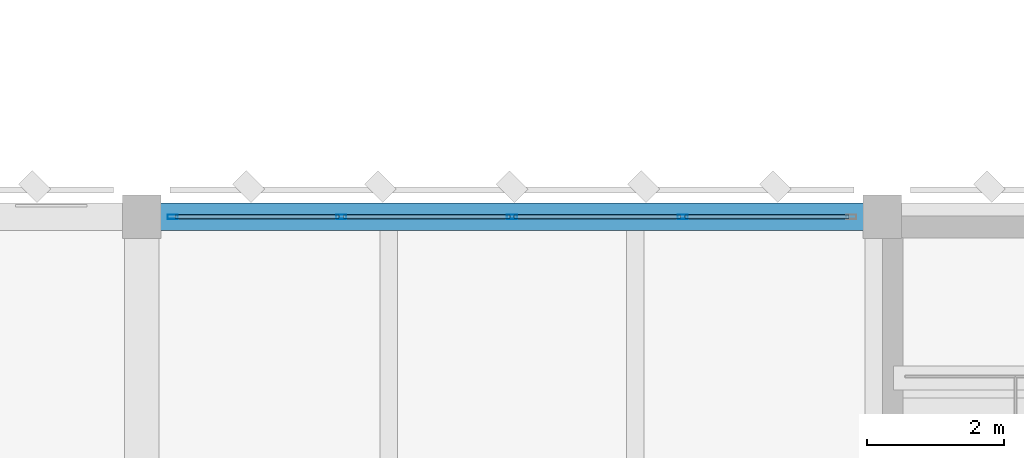
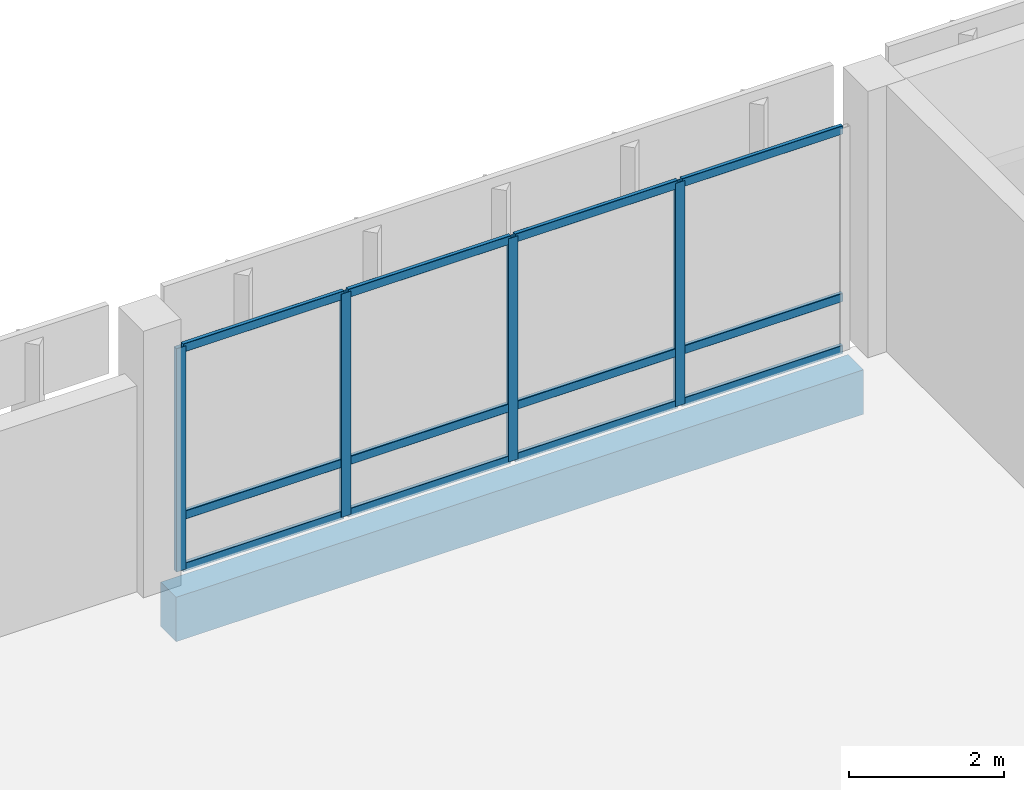
# One storey, part 52 of 158: 16 members, 1 beam, 1 element without a shape of its own.
"""IFC4 building model written with IfcOpenShell, lengths in metres."""

from ifc_helpers import new_model, si_unit, direction, frame, origin, origin_2d, place, context, subcontext, project, spatial, rectangle, hollow_rectangle, extrude, material, material_profile, profile_set, type_object, element, aggregate, save


model = new_model("IFC4")

# Units and contexts
model_context = context("Model", 3, precision=1e-05, world=origin(), true_north=direction((0.0, 1.0)))
body_context = subcontext(model_context, "Body", "Model", "MODEL_VIEW")
ifc_project = project(units=[si_unit("LENGTHUNIT", "METRE"), si_unit("AREAUNIT", "SQUARE_METRE"), si_unit("VOLUMEUNIT", "CUBIC_METRE"), si_unit("PLANEANGLEUNIT", "RADIAN"), si_unit("MASSUNIT", "GRAM", prefix="KILO")], contexts=[model_context])

# Site, building, storey
site_placement = place(None, origin())
site = spatial("IfcSite", under=ifc_project, at=site_placement, CompositionType="ELEMENT")
building_placement = place(site_placement, origin())
building = spatial("IfcBuilding", under=site, at=building_placement, Name="Lusvemor Sports Hall", CompositionType="ELEMENT")
storey_placement = place(building_placement, frame((0.0, 0.0, 10.800048828125)))
storey = spatial("IfcBuildingStorey", under=building, at=storey_placement, Name="L02", CompositionType="ELEMENT", Elevation=10.800048828125)

# Curtain wall, members
ifc_material_1 = material(Name="Thermally broken bronze-anodized aluminium", Category="aluminium")
curtain_wall_type = type_object("IfcCurtainWallType", Name="CW_WING_B", PredefinedType="NOTDEFINED", material=ifc_material_1)
curtain_wall_placement = place(storey_placement, origin())
curtain_wall = element("IfcCurtainWall", 1, at=curtain_wall_placement, inside=storey, type_object=curtain_wall_type, Name="Curtain Wall CW-L02-N-1-4", PredefinedType="NOTDEFINED")
ifc_material_2 = material(Name="Thermally broken bronze-anodized aluminium", Category="aluminium")
ifc_material_profile_1 = material_profile(ifc_material_2, hollow_rectangle(XDim=0.06494140625, YDim=0.14990234375, WallThickness=0.00390625, InnerFilletRadius=0.00390625, OuterFilletRadius=0.008056640625, at=origin_2d()), Name="CWMUL150x65x4")
ifc_profile_set_1 = profile_set([ifc_material_profile_1], Name="Thermally broken bronze-anodized aluminium")
member_type_1 = type_object("IfcMemberType", Name="CW_MUL_B", PredefinedType="MULLION", material=ifc_profile_set_1)
member_1_placement = place(storey_placement, frame((43.652587890625, 115.199951171875, 0.0), z_axis=(0.0, 0.0, 1.0), x_axis=(0.0, 1.0, 0.0)))
member_1 = element("IfcMember", 2, at=member_1_placement, type_object=member_type_1, Name="CW02 mullion 1", PredefinedType="MULLION", context=body_context, shape_type="SweptSolid", body=[
    extrude(hollow_rectangle(XDim=0.06494140625, YDim=0.14990234375, WallThickness=0.00390625, InnerFilletRadius=0.00390625, OuterFilletRadius=0.008056640625, at=origin_2d()), origin(), (0.0, 0.0, 1.0), 3.52001953125),
])
member_2_placement = place(storey_placement, frame((46.110107421875, 115.199951171875, 0.0), z_axis=(0.0, 0.0, 1.0), x_axis=(0.0, 1.0, 0.0)))
member_2 = element("IfcMember", 3, at=member_2_placement, type_object=member_type_1, Name="CW02 mullion 2", PredefinedType="MULLION", context=body_context, shape_type="SweptSolid", body=[
    extrude(hollow_rectangle(XDim=0.06494140625, YDim=0.14990234375, WallThickness=0.00390625, InnerFilletRadius=0.00390625, OuterFilletRadius=0.008056640625, at=origin_2d()), origin(), (0.0, 0.0, 1.0), 3.52001953125),
])
member_3_placement = place(storey_placement, frame((48.60009765625, 115.199951171875, 0.0), z_axis=(0.0, 0.0, 1.0), x_axis=(0.0, 1.0, 0.0)))
member_3 = element("IfcMember", 4, at=member_3_placement, type_object=member_type_1, Name="CW02 mullion 3", PredefinedType="MULLION", context=body_context, shape_type="SweptSolid", body=[
    extrude(hollow_rectangle(XDim=0.06494140625, YDim=0.14990234375, WallThickness=0.00390625, InnerFilletRadius=0.00390625, OuterFilletRadius=0.008056640625, at=origin_2d()), origin(), (0.0, 0.0, 1.0), 3.52001953125),
])
member_4_placement = place(storey_placement, frame((51.090087890625, 115.199951171875, 0.0), z_axis=(0.0, 0.0, 1.0), x_axis=(0.0, 1.0, 0.0)))
member_4 = element("IfcMember", 5, at=member_4_placement, type_object=member_type_1, Name="CW02 mullion 4", PredefinedType="MULLION", context=body_context, shape_type="SweptSolid", body=[
    extrude(hollow_rectangle(XDim=0.06494140625, YDim=0.14990234375, WallThickness=0.00390625, InnerFilletRadius=0.00390625, OuterFilletRadius=0.008056640625, at=origin_2d()), origin(), (0.0, 0.0, 1.0), 3.52001953125),
])
ifc_material_3 = material(Name="Thermally broken bronze-anodized aluminium", Category="aluminium")
ifc_material_profile_2 = material_profile(ifc_material_3, hollow_rectangle(XDim=0.06005859375, YDim=0.135009765625, WallThickness=0.00390625, InnerFilletRadius=0.00390625, OuterFilletRadius=0.008056640625, at=origin_2d()), Name="CWTRN135x60x4")
ifc_profile_set_2 = profile_set([ifc_material_profile_2], Name="Thermally broken bronze-anodized aluminium")
member_type_2 = type_object("IfcMemberType", Name="CW_TRN_B", PredefinedType="USERDEFINED", material=ifc_profile_set_2)
member_5_placement = place(storey_placement, frame((43.68505859375, 115.199951171875, 0.030029296875), z_axis=(1.0, 0.0, 0.0), x_axis=(0.0, 1.0, 0.0)))
member_5 = element("IfcMember", 6, at=member_5_placement, type_object=member_type_2, Name="CW02 transom 1.1", ObjectType="TRANSOM", PredefinedType="USERDEFINED", context=body_context, shape_type="SweptSolid", body=[
    extrude(hollow_rectangle(XDim=0.06005859375, YDim=0.135009765625, WallThickness=0.00390625, InnerFilletRadius=0.00390625, OuterFilletRadius=0.008056640625, at=origin_2d()), origin(), (0.0, 0.0, 1.0), 2.392333984375),
])
member_6_placement = place(storey_placement, frame((43.68505859375, 115.199951171875, 0.849853515625), z_axis=(1.0, 0.0, 0.0), x_axis=(0.0, 1.0, 0.0)))
member_6 = element("IfcMember", 7, at=member_6_placement, type_object=member_type_2, Name="CW02 transom 1.2", ObjectType="TRANSOM", PredefinedType="USERDEFINED", context=body_context, shape_type="SweptSolid", body=[
    extrude(hollow_rectangle(XDim=0.06005859375, YDim=0.135009765625, WallThickness=0.00390625, InnerFilletRadius=0.00390625, OuterFilletRadius=0.008056640625, at=origin_2d()), origin(), (0.0, 0.0, 1.0), 2.392333984375),
])
member_7_placement = place(storey_placement, frame((43.68505859375, 115.199951171875, 3.489990234375), z_axis=(1.0, 0.0, 0.0), x_axis=(0.0, 1.0, 0.0)))
member_7 = element("IfcMember", 8, at=member_7_placement, type_object=member_type_2, Name="CW02 transom 1.3", ObjectType="TRANSOM", PredefinedType="USERDEFINED", context=body_context, shape_type="SweptSolid", body=[
    extrude(hollow_rectangle(XDim=0.06005859375, YDim=0.135009765625, WallThickness=0.00390625, InnerFilletRadius=0.00390625, OuterFilletRadius=0.008056640625, at=origin_2d()), origin(), (0.0, 0.0, 1.0), 2.392333984375),
])
member_8_placement = place(storey_placement, frame((46.142578125, 115.199951171875, 0.030029296875), z_axis=(1.0, 0.0, 0.0), x_axis=(0.0, 1.0, 0.0)))
member_8 = element("IfcMember", 9, at=member_8_placement, type_object=member_type_2, Name="CW02 transom 2.1", ObjectType="TRANSOM", PredefinedType="USERDEFINED", context=body_context, shape_type="SweptSolid", body=[
    extrude(hollow_rectangle(XDim=0.06005859375, YDim=0.135009765625, WallThickness=0.00390625, InnerFilletRadius=0.00390625, OuterFilletRadius=0.008056640625, at=origin_2d()), origin(), (0.0, 0.0, 1.0), 2.4248046875),
])
member_9_placement = place(storey_placement, frame((46.142578125, 115.199951171875, 0.849853515625), z_axis=(1.0, 0.0, 0.0), x_axis=(0.0, 1.0, 0.0)))
member_9 = element("IfcMember", 10, at=member_9_placement, type_object=member_type_2, Name="CW02 transom 2.2", ObjectType="TRANSOM", PredefinedType="USERDEFINED", context=body_context, shape_type="SweptSolid", body=[
    extrude(hollow_rectangle(XDim=0.06005859375, YDim=0.135009765625, WallThickness=0.00390625, InnerFilletRadius=0.00390625, OuterFilletRadius=0.008056640625, at=origin_2d()), origin(), (0.0, 0.0, 1.0), 2.4248046875),
])
member_10_placement = place(storey_placement, frame((46.142578125, 115.199951171875, 3.489990234375), z_axis=(1.0, 0.0, 0.0), x_axis=(0.0, 1.0, 0.0)))
member_10 = element("IfcMember", 11, at=member_10_placement, type_object=member_type_2, Name="CW02 transom 2.3", ObjectType="TRANSOM", PredefinedType="USERDEFINED", context=body_context, shape_type="SweptSolid", body=[
    extrude(hollow_rectangle(XDim=0.06005859375, YDim=0.135009765625, WallThickness=0.00390625, InnerFilletRadius=0.00390625, OuterFilletRadius=0.008056640625, at=origin_2d()), origin(), (0.0, 0.0, 1.0), 2.4248046875),
])
member_11_placement = place(storey_placement, frame((48.632568359375, 115.199951171875, 0.030029296875), z_axis=(1.0, 0.0, 0.0), x_axis=(0.0, 1.0, 0.0)))
member_11 = element("IfcMember", 12, at=member_11_placement, type_object=member_type_2, Name="CW02 transom 3.1", ObjectType="TRANSOM", PredefinedType="USERDEFINED", context=body_context, shape_type="SweptSolid", body=[
    extrude(hollow_rectangle(XDim=0.06005859375, YDim=0.135009765625, WallThickness=0.00390625, InnerFilletRadius=0.00390625, OuterFilletRadius=0.008056640625, at=origin_2d()), origin(), (0.0, 0.0, 1.0), 2.425048828125),
])
member_12_placement = place(storey_placement, frame((48.632568359375, 115.199951171875, 0.849853515625), z_axis=(1.0, 0.0, 0.0), x_axis=(0.0, 1.0, 0.0)))
member_12 = element("IfcMember", 13, at=member_12_placement, type_object=member_type_2, Name="CW02 transom 3.2", ObjectType="TRANSOM", PredefinedType="USERDEFINED", context=body_context, shape_type="SweptSolid", body=[
    extrude(hollow_rectangle(XDim=0.06005859375, YDim=0.135009765625, WallThickness=0.00390625, InnerFilletRadius=0.00390625, OuterFilletRadius=0.008056640625, at=origin_2d()), origin(), (0.0, 0.0, 1.0), 2.425048828125),
])
member_13_placement = place(storey_placement, frame((48.632568359375, 115.199951171875, 3.489990234375), z_axis=(1.0, 0.0, 0.0), x_axis=(0.0, 1.0, 0.0)))
member_13 = element("IfcMember", 14, at=member_13_placement, type_object=member_type_2, Name="CW02 transom 3.3", ObjectType="TRANSOM", PredefinedType="USERDEFINED", context=body_context, shape_type="SweptSolid", body=[
    extrude(hollow_rectangle(XDim=0.06005859375, YDim=0.135009765625, WallThickness=0.00390625, InnerFilletRadius=0.00390625, OuterFilletRadius=0.008056640625, at=origin_2d()), origin(), (0.0, 0.0, 1.0), 2.425048828125),
])
member_14_placement = place(storey_placement, frame((51.12255859375, 115.199951171875, 0.030029296875), z_axis=(1.0, 0.0, 0.0), x_axis=(0.0, 1.0, 0.0)))
member_14 = element("IfcMember", 15, at=member_14_placement, type_object=member_type_2, Name="CW02 transom 4.1", ObjectType="TRANSOM", PredefinedType="USERDEFINED", context=body_context, shape_type="SweptSolid", body=[
    extrude(hollow_rectangle(XDim=0.06005859375, YDim=0.135009765625, WallThickness=0.00390625, InnerFilletRadius=0.00390625, OuterFilletRadius=0.008056640625, at=origin_2d()), origin(), (0.0, 0.0, 1.0), 2.392333984375),
])
member_15_placement = place(storey_placement, frame((51.12255859375, 115.199951171875, 0.849853515625), z_axis=(1.0, 0.0, 0.0), x_axis=(0.0, 1.0, 0.0)))
member_15 = element("IfcMember", 16, at=member_15_placement, type_object=member_type_2, Name="CW02 transom 4.2", ObjectType="TRANSOM", PredefinedType="USERDEFINED", context=body_context, shape_type="SweptSolid", body=[
    extrude(hollow_rectangle(XDim=0.06005859375, YDim=0.135009765625, WallThickness=0.00390625, InnerFilletRadius=0.00390625, OuterFilletRadius=0.008056640625, at=origin_2d()), origin(), (0.0, 0.0, 1.0), 2.392333984375),
])
member_16_placement = place(storey_placement, frame((51.12255859375, 115.199951171875, 3.489990234375), z_axis=(1.0, 0.0, 0.0), x_axis=(0.0, 1.0, 0.0)))
member_16 = element("IfcMember", 17, at=member_16_placement, type_object=member_type_2, Name="CW02 transom 4.3", ObjectType="TRANSOM", PredefinedType="USERDEFINED", context=body_context, shape_type="SweptSolid", body=[
    extrude(hollow_rectangle(XDim=0.06005859375, YDim=0.135009765625, WallThickness=0.00390625, InnerFilletRadius=0.00390625, OuterFilletRadius=0.008056640625, at=origin_2d()), origin(), (0.0, 0.0, 1.0), 2.392333984375),
])
aggregate(curtain_wall, [member_1, member_2, member_3, member_4, member_5, member_6, member_7, member_8, member_9, member_10, member_11, member_12, member_13, member_14, member_15, member_16])

# Beam
ifc_material_4 = material(Name="Concrete C40/50", Category="concrete")
ifc_material_profile_3 = material_profile(ifc_material_4, rectangle(XDim=0.39990234375, YDim=0.699951171875, at=origin_2d()), Name="RC400x700")
ifc_profile_set_3 = profile_set([ifc_material_profile_3], Name="Concrete C40/50")
beam_type = type_object("IfcBeamType", Name="SPAND_EXT_700", PredefinedType="SPANDREL", material=ifc_profile_set_3)
beam_placement = place(storey_placement, frame((43.47607421875, 115.199951171875, -0.610107421875), z_axis=(1.0, 0.0, 0.0), x_axis=(0.0, 1.0, 0.0)))
element("IfcBeam", 18, at=beam_placement, inside=storey, type_object=beam_type, Name="Beam L02 Q:5-6", PredefinedType="SPANDREL", context=body_context, shape_type="SweptSolid", body=[
    extrude(rectangle(XDim=0.39990234375, YDim=0.699951171875, at=origin_2d()), origin(), (0.0, 0.0, 1.0), 10.248046875),
])

save(model, "model.ifc")
